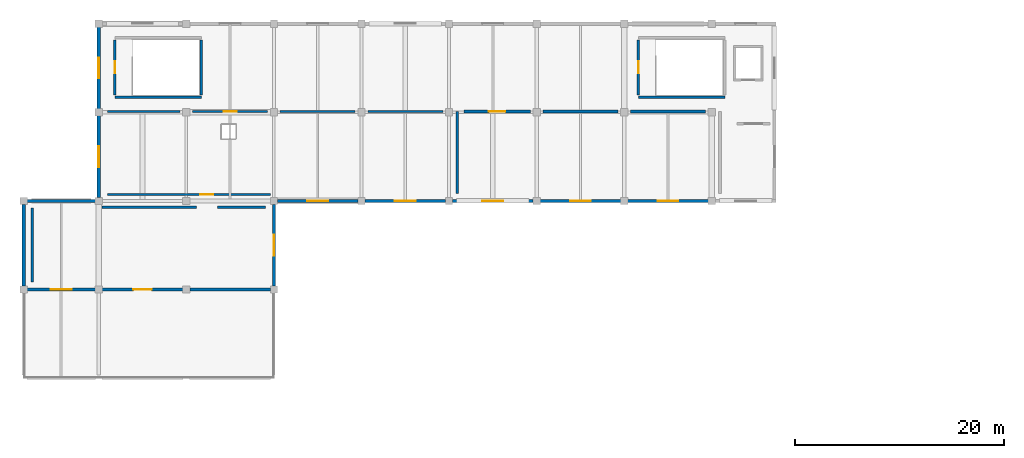
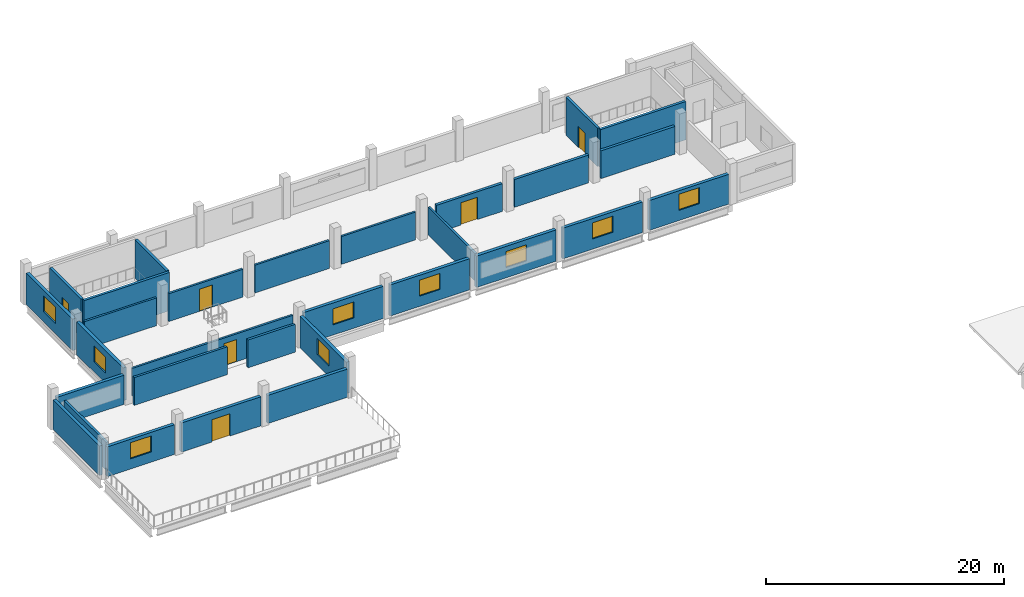
# One storey, part 41 of 52: 30 walls, 9 windows, 6 doors, 15 openings.
"""IFC4 building model written with IfcOpenShell, lengths in metres."""

from ifc_helpers import new_model, si_unit, direction, frame, frame_2d, origin, place, context, subcontext, project, spatial, rectangle, extrude, material, layer, layer_set, type_object, element, fill, save


model = new_model("IFC4")

# Units and contexts
model_context = context("Model", 3, precision=1e-05, world=origin(), true_north=direction((0.0, 1.0)))
body_context = subcontext(model_context, "Body", "Model", "MODEL_VIEW")
ifc_project = project(units=[si_unit("LENGTHUNIT", "METRE"), si_unit("AREAUNIT", "SQUARE_METRE"), si_unit("VOLUMEUNIT", "CUBIC_METRE"), si_unit("PLANEANGLEUNIT", "RADIAN"), si_unit("MASSUNIT", "GRAM", prefix="KILO")], contexts=[model_context])

# Site, building, storey
site_placement = place(None, origin())
site = spatial("IfcSite", under=ifc_project, at=site_placement, CompositionType="ELEMENT")
building_placement = place(site_placement, origin())
building = spatial("IfcBuilding", under=site, at=building_placement, Name="Solvento Point Concert Hall", CompositionType="ELEMENT")
storey_placement = place(building_placement, frame((0.0, 0.0, 19.5)))
storey = spatial("IfcBuildingStorey", under=building, at=storey_placement, Name="L04", CompositionType="ELEMENT", Elevation=19.5)

# Wall
ifc_material_1 = material(Name="Acoustic Double-Stud Gypsum Partition")
ifc_layer_1 = layer(ifc_material_1, 0.199951171875)
ifc_layer_set_1 = layer_set([ifc_layer_1], Name="Acoustic Double-Stud Gypsum Partition")
wall_type_1 = type_object("IfcWallType", Name="AcousticPartition_200", PredefinedType="PARTITIONING", material=ifc_layer_set_1)
wall_1_placement = place(storey_placement, frame((8.02001953125, 127.580078125, 0.0), z_axis=(0.0, 0.0, 1.0), x_axis=(1.0, 0.0, 0.0)))
element("IfcWall", 1, at=wall_1_placement, inside=storey, type_object=wall_type_1, Name="Interior acoustic partition PW-84 L04", PredefinedType="PARTITIONING", context=body_context, shape_type="SweptSolid", body=[
    extrude(rectangle(XDim=6.97998046875, YDim=0.199951171875, at=frame_2d((3.489990234375, 0.0))), origin(), (0.0, 0.0, 1.0), 2.860107421875),
])

# Wall, opening, door
wall_2_placement = place(storey_placement, frame((16.199951171875, 127.580078125, 0.0), z_axis=(0.0, 0.0, 1.0), x_axis=(1.0, 0.0, 0.0)))
wall_2 = element("IfcWall", 2, at=wall_2_placement, inside=storey, type_object=wall_type_1, Name="Interior acoustic partition PW-84 L04", PredefinedType="PARTITIONING", context=body_context, shape_type="SweptSolid", body=[
    extrude(rectangle(XDim=7.199951171875, YDim=0.199951171875, at=frame_2d((3.60009765625, 0.0))), origin(), (0.0, 0.0, 1.0), 2.860107421875),
])
opening_1_placement = place(wall_2_placement, frame((2.969970703125, 0.0, 0.0)))
opening_1 = element("IfcOpeningElement", 3, at=opening_1_placement, cuts=wall_2, Name="Opening DR-43", PredefinedType="OPENING", context=body_context, shape_type="SweptSolid", body=[
    extrude(rectangle(XDim=1.260009765625, YDim=2.280029296875, at=frame_2d((0.6298828125, 1.14013671875))), frame((0.0, 0.10986328125, 0.0), z_axis=(0.0, -1.0, 0.0), x_axis=(1.0, 0.0, 0.0)), (0.0, 0.0, 1.0), 0.219970703125),
])
ifc_material_2 = material(Name="Brazilian Hardwood Acoustic Door", Category="wood")
door_type_1 = type_object("IfcDoorType", Name="IntDoor_Classroom", OperationType="NOTDEFINED", PredefinedType="DOOR", material=ifc_material_2)
door_1_placement = place(opening_1_placement, origin())
door_1 = element("IfcDoor", 4, at=door_1_placement, inside=storey, type_object=door_type_1, Name="Interior door DR-43 L04", OperationType="SINGLE_SWING_LEFT", OverallHeight=2.280029296875, OverallWidth=1.260009765625, PredefinedType="DOOR", context=body_context, shape_type="SweptSolid", body=[
    extrude(rectangle(XDim=1.260009765625, YDim=2.280029296875, at=frame_2d((0.6298828125, 1.14013671875))), frame((0.0, 0.02490234375, 0.0), z_axis=(0.0, -1.0, 0.0), x_axis=(1.0, 0.0, 0.0)), (0.0, 0.0, 1.0), 0.050048828125),
])
fill(opening_1, door_1)

# Walls
for number, where, z_axis, x_axis, name in (
    (5, (24.60009765625, 127.580078125, 0.0), (0.0, 0.0, 1.0), (1.0, 0.0, 0.0), "Interior acoustic partition PW-84 L04"),
    (6, (33.0, 127.580078125, 0.0), (0.0, 0.0, 1.0), (1.0, 0.0, 0.0), "Interior acoustic partition PW-84 L04"),
):
    element("IfcWall", number, at=place(storey_placement, frame(where, z_axis=z_axis, x_axis=x_axis)), inside=storey, type_object=wall_type_1, Name=name, PredefinedType="PARTITIONING", context=body_context, shape_type="SweptSolid", body=[
        extrude(rectangle(XDim=7.199951171875, YDim=0.199951171875, at=frame_2d((3.60009765625, 0.0))), origin(), (0.0, 0.0, 1.0), 2.860107421875),
    ])

# Wall, opening, door
wall_3_placement = place(storey_placement, frame((23.675537109375, 119.6201171875, 0.0), z_axis=(0.0, 0.0, 1.0), x_axis=(-1.0, 0.0, 0.0)))
wall_3 = element("IfcWall", 7, at=wall_3_placement, inside=storey, type_object=wall_type_1, Name="Interior acoustic partition PW-84 L04", PredefinedType="PARTITIONING", context=body_context, shape_type="SweptSolid", body=[
    extrude(rectangle(XDim=15.655517578125, YDim=0.199951171875, at=frame_2d((7.82763671875, 0.0))), origin(), (0.0, 0.0, 1.0), 2.860107421875),
])
opening_2_placement = place(wall_3_placement, frame((5.47021484375, 0.0, 0.0)))
opening_2 = element("IfcOpeningElement", 8, at=opening_2_placement, cuts=wall_3, Name="Opening DR-43", PredefinedType="OPENING", context=body_context, shape_type="SweptSolid", body=[
    extrude(rectangle(XDim=1.260009765625, YDim=2.280029296875, at=frame_2d((0.6298828125, 1.14013671875))), frame((0.0, 0.10986328125, 0.0), z_axis=(0.0, -1.0, 0.0), x_axis=(1.0, 0.0, 0.0)), (0.0, 0.0, 1.0), 0.219970703125),
])
door_2_placement = place(opening_2_placement, origin())
door_2 = element("IfcDoor", 9, at=door_2_placement, inside=storey, type_object=door_type_1, Name="Interior door DR-43 L04", OperationType="SINGLE_SWING_LEFT", OverallHeight=2.280029296875, OverallWidth=1.260009765625, PredefinedType="DOOR", context=body_context, shape_type="SweptSolid", body=[
    extrude(rectangle(XDim=1.260009765625, YDim=2.280029296875, at=frame_2d((0.6298828125, 1.14013671875))), frame((0.0, 0.02490234375, 0.0), z_axis=(0.0, -1.0, 0.0), x_axis=(1.0, 0.0, 0.0)), (0.0, 0.0, 1.0), 0.050048828125),
])
fill(opening_2, door_2)

# Walls
wall_4_placement = place(storey_placement, frame((41.580078125, 127.580078125, 0.0), z_axis=(0.0, 0.0, 1.0), x_axis=(0.0, -1.0, 0.0)))
element("IfcWall", 10, at=wall_4_placement, inside=storey, type_object=wall_type_1, Name="Interior acoustic partition PW-84 L04", PredefinedType="PARTITIONING", context=body_context, shape_type="SweptSolid", body=[
    extrude(rectangle(XDim=7.880126953125, YDim=0.199951171875, at=frame_2d((3.93994140625, 0.0))), origin(), (0.0, 0.0, 1.0), 2.860107421875),
])
ifc_material_3 = material(Name="Acoustic Double-Stud Gypsum Partition")
ifc_layer_2 = layer(ifc_material_3, 0.22509765625)
ifc_layer_set_2 = layer_set([ifc_layer_2], Name="Acoustic Double-Stud Gypsum Partition")
wall_type_2 = type_object("IfcWallType", Name="AcousticPartition_225", PredefinedType="PARTITIONING", material=ifc_layer_set_2)
wall_5_placement = place(storey_placement, frame((7.5244140625, 118.3798828125, 0.0), z_axis=(0.0, 0.0, 1.0), x_axis=(1.0, 0.0, 0.0)))
element("IfcWall", 11, at=wall_5_placement, inside=storey, type_object=wall_type_2, Name="Interior acoustic partition PW-30 L04", PredefinedType="PARTITIONING", context=body_context, shape_type="SweptSolid", body=[
    extrude(rectangle(XDim=9.040283203125, YDim=0.22509765625, at=frame_2d((4.52001953125, 0.0))), origin(), (0.0, 0.0, 1.0), 2.860107421875),
])
wall_6_placement = place(storey_placement, frame((18.5859375, 118.3798828125, 0.0), z_axis=(0.0, 0.0, 1.0), x_axis=(1.0, 0.0, 0.0)))
element("IfcWall", 12, at=wall_6_placement, inside=storey, type_object=wall_type_2, Name="Interior acoustic partition PW-30 L04", PredefinedType="PARTITIONING", context=body_context, shape_type="SweptSolid", body=[
    extrude(rectangle(XDim=4.593994140625, YDim=0.22509765625, at=frame_2d((2.296875, 0.0))), origin(), (0.0, 0.0, 1.0), 2.860107421875),
])
wall_7_placement = place(storey_placement, frame((0.820068359375, 111.199951171875, 0.0), z_axis=(0.0, 0.0, 1.0), x_axis=(0.0, 1.0, 0.0)))
element("IfcWall", 13, at=wall_7_placement, inside=storey, type_object=wall_type_2, Name="Interior acoustic partition PW-30 L04", PredefinedType="PARTITIONING", context=body_context, shape_type="SweptSolid", body=[
    extrude(rectangle(XDim=7.10009765625, YDim=0.22509765625, at=frame_2d((3.550048828125, 0.0))), origin(), (0.0, 0.0, 1.0), 2.860107421875),
])

# Wall, opening, door
ifc_material_4 = material(Name="Acoustic Double-Stud Gypsum Partition")
ifc_layer_3 = layer(ifc_material_4, 0.264892578125)
ifc_layer_set_3 = layer_set([ifc_layer_3], Name="Acoustic Double-Stud Gypsum Partition")
wall_type_3 = type_object("IfcWallType", Name="AcousticPartition_265", PredefinedType="PARTITIONING", material=ifc_layer_set_3)
wall_8_placement = place(storey_placement, frame((42.219970703125, 127.580078125, 0.0), z_axis=(0.0, 0.0, 1.0), x_axis=(1.0, 0.0, 0.0)))
wall_8 = element("IfcWall", 14, at=wall_8_placement, inside=storey, type_object=wall_type_3, Name="Interior acoustic partition PW-68 L04", PredefinedType="PARTITIONING", context=body_context, shape_type="SweptSolid", body=[
    extrude(rectangle(XDim=6.380126953125, YDim=0.264892578125, at=frame_2d((3.18994140625, 0.0))), origin(), (0.0, 0.0, 1.0), 2.860107421875),
])
opening_3_placement = place(wall_8_placement, frame((2.389892578125, 0.0, 0.0)))
opening_3 = element("IfcOpeningElement", 15, at=opening_3_placement, cuts=wall_8, Name="Opening DR-40", PredefinedType="OPENING", context=body_context, shape_type="SweptSolid", body=[
    extrude(rectangle(XDim=1.60009765625, YDim=2.300048828125, at=frame_2d((0.800048828125, 1.14990234375))), frame((0.0, 0.142333984375, 0.0), z_axis=(0.0, -1.0, 0.0), x_axis=(1.0, 0.0, 0.0)), (0.0, 0.0, 1.0), 0.284912109375),
])
ifc_material_5 = material(Name="Brazilian Hardwood Acoustic Door", Category="wood")
door_type_2 = type_object("IfcDoorType", Name="IntDoor_ArchiveFD90", OperationType="NOTDEFINED", PredefinedType="DOOR", material=ifc_material_5)
door_3_placement = place(opening_3_placement, origin())
door_3 = element("IfcDoor", 16, at=door_3_placement, inside=storey, type_object=door_type_2, Name="Interior door DR-40 L04", OperationType="SINGLE_SWING_LEFT", OverallHeight=2.300048828125, OverallWidth=1.60009765625, PredefinedType="DOOR", context=body_context, shape_type="SweptSolid", body=[
    extrude(rectangle(XDim=1.60009765625, YDim=2.300048828125, at=frame_2d((0.800048828125, 1.14990234375))), frame((0.0, 0.02490234375, 0.0), z_axis=(0.0, -1.0, 0.0), x_axis=(1.0, 0.0, 0.0)), (0.0, 0.0, 1.0), 0.050048828125),
])
fill(opening_3, door_3)

# Walls
for number, where, z_axis, x_axis, name in (
    (17, (49.800048828125, 127.580078125, 0.0), (0.0, 0.0, 1.0), (1.0, 0.0, 0.0), "Interior acoustic partition PW-68 L04"),
    (18, (58.199951171875, 127.580078125, 0.0), (0.0, 0.0, 1.0), (1.0, 0.0, 0.0), "Interior acoustic partition PW-68 L04"),
):
    element("IfcWall", number, at=place(storey_placement, frame(where, z_axis=z_axis, x_axis=x_axis)), inside=storey, type_object=wall_type_3, Name=name, PredefinedType="PARTITIONING", context=body_context, shape_type="SweptSolid", body=[
        extrude(rectangle(XDim=7.199951171875, YDim=0.264892578125, at=frame_2d((3.60009765625, 0.0))), origin(), (0.0, 0.0, 1.0), 2.860107421875),
    ])
ifc_material_6 = material(Name="Concrete C40/50", Category="concrete")
ifc_layer_4 = layer(ifc_material_6, 0.300048828125)
ifc_layer_set_4 = layer_set([ifc_layer_4], Name="Concrete C40/50")
wall_type_4 = type_object("IfcWallType", Name="CoreShearWall_300", PredefinedType="SHEAR", material=ifc_layer_set_4)
wall_9_placement = place(storey_placement, frame((67.25, 128.949951171875, 0.0), z_axis=(0.0, 0.0, 1.0), x_axis=(-1.0, 0.0, 0.0)))
element("IfcWall", 19, at=wall_9_placement, inside=storey, type_object=wall_type_4, Name="Stair core shear wall W-SH1 ST-04 L04", PredefinedType="SHEAR", context=body_context, shape_type="SweptSolid", body=[
    extrude(rectangle(XDim=8.300048828125, YDim=0.25, at=frame_2d((4.14990234375, 0.0))), origin(), (0.0, 0.0, 1.0), 3.93994140625),
])

# Wall, opening, door
wall_10_placement = place(storey_placement, frame((58.949951171875, 129.14990234375, 0.0), z_axis=(0.0, 0.0, 1.0), x_axis=(0.0, 1.0, 0.0)))
wall_10 = element("IfcWall", 20, at=wall_10_placement, inside=storey, type_object=wall_type_4, Name="Stair core shear wall W-SH1 ST-04 L04", PredefinedType="SHEAR", context=body_context, shape_type="SweptSolid", body=[
    extrude(rectangle(XDim=5.300048828125, YDim=0.25, at=frame_2d((2.64990234375, 0.0))), origin(), (0.0, 0.0, 1.0), 3.93994140625),
])
opening_4_placement = place(wall_10_placement, frame((2.074951171875, 0.0, 0.0)))
opening_4 = element("IfcOpeningElement", 21, at=opening_4_placement, cuts=wall_10, Name="Opening D-ST1", PredefinedType="OPENING", context=body_context, shape_type="SweptSolid", body=[
    extrude(rectangle(XDim=1.14990234375, YDim=2.179931640625, at=frame_2d((0.574951171875, 1.08984375))), frame((0.0, 0.135009765625, 0.0), z_axis=(0.0, -1.0, 0.0), x_axis=(1.0, 0.0, 0.0)), (0.0, 0.0, 1.0), 0.27001953125),
])
ifc_material_7 = material(Name="Hollow Metal Acoustic Fire Door")
door_type_3 = type_object("IfcDoorType", Name="StairFireDoor_1150", OperationType="NOTDEFINED", PredefinedType="DOOR", material=ifc_material_7)
door_4_placement = place(opening_4_placement, origin())
door_4 = element("IfcDoor", 22, at=door_4_placement, inside=storey, type_object=door_type_3, Name="Protected exit stair door ST-04 L04", OperationType="SINGLE_SWING_RIGHT", OverallHeight=2.179931640625, OverallWidth=1.14990234375, PredefinedType="DOOR", context=body_context, shape_type="SweptSolid", body=[
    extrude(rectangle(XDim=1.14990234375, YDim=2.179931640625, at=frame_2d((0.574951171875, 1.08984375))), frame((0.0, 0.02490234375, 0.0), z_axis=(0.0, -1.0, 0.0), x_axis=(1.0, 0.0, 0.0)), (0.0, 0.0, 1.0), 0.050048828125),
])
fill(opening_4, door_4)

# Wall
wall_11_placement = place(storey_placement, frame((17.050048828125, 128.949951171875, 0.0), z_axis=(0.0, 0.0, 1.0), x_axis=(-1.0, 0.0, 0.0)))
element("IfcWall", 23, at=wall_11_placement, inside=storey, type_object=wall_type_4, Name="Stair core shear wall W-SH1 ST-05 L04", PredefinedType="SHEAR", context=body_context, shape_type="SweptSolid", body=[
    extrude(rectangle(XDim=8.300048828125, YDim=0.25, at=frame_2d((4.14990234375, 0.0))), origin(), (0.0, 0.0, 1.0), 3.93994140625),
])

# Wall, opening, door
wall_12_placement = place(storey_placement, frame((8.75, 129.14990234375, 0.0), z_axis=(0.0, 0.0, 1.0), x_axis=(0.0, 1.0, 0.0)))
wall_12 = element("IfcWall", 24, at=wall_12_placement, inside=storey, type_object=wall_type_4, Name="Stair core shear wall W-SH1 ST-05 L04", PredefinedType="SHEAR", context=body_context, shape_type="SweptSolid", body=[
    extrude(rectangle(XDim=5.300048828125, YDim=0.25, at=frame_2d((2.64990234375, 0.0))), origin(), (0.0, 0.0, 1.0), 3.93994140625),
])
opening_5_placement = place(wall_12_placement, frame((2.074951171875, 0.0, 0.0)))
opening_5 = element("IfcOpeningElement", 25, at=opening_5_placement, cuts=wall_12, Name="Opening D-ST1", PredefinedType="OPENING", context=body_context, shape_type="SweptSolid", body=[
    extrude(rectangle(XDim=1.14990234375, YDim=2.179931640625, at=frame_2d((0.574951171875, 1.08984375))), frame((0.0, 0.135009765625, 0.0), z_axis=(0.0, -1.0, 0.0), x_axis=(1.0, 0.0, 0.0)), (0.0, 0.0, 1.0), 0.27001953125),
])
door_5_placement = place(opening_5_placement, origin())
door_5 = element("IfcDoor", 26, at=door_5_placement, inside=storey, type_object=door_type_3, Name="Protected exit stair door ST-05 L04", OperationType="SINGLE_SWING_LEFT", OverallHeight=2.179931640625, OverallWidth=1.14990234375, PredefinedType="DOOR", context=body_context, shape_type="SweptSolid", body=[
    extrude(rectangle(XDim=1.14990234375, YDim=2.179931640625, at=frame_2d((0.574951171875, 1.08984375))), frame((0.0, 0.02490234375, 0.0), z_axis=(0.0, -1.0, 0.0), x_axis=(1.0, 0.0, 0.0)), (0.0, 0.0, 1.0), 0.050048828125),
])
fill(opening_5, door_5)

# Wall
wall_13_placement = place(storey_placement, frame((17.050048828125, 134.449951171875, 0.0), z_axis=(0.0, 0.0, 1.0), x_axis=(0.0, -1.0, 0.0)))
element("IfcWall", 27, at=wall_13_placement, inside=storey, type_object=wall_type_4, Name="Stair core shear wall W-SH1 ST-05 L04", PredefinedType="SHEAR", context=body_context, shape_type="SweptSolid", body=[
    extrude(rectangle(XDim=5.300048828125, YDim=0.25, at=frame_2d((2.64990234375, 0.0))), origin(), (0.0, 0.0, 1.0), 3.93994140625),
])

# Wall, opening, window
ifc_material_8 = material(Name="Concrete C40/50", Category="concrete")
ifc_layer_5 = layer(ifc_material_8, 0.31005859375)
ifc_layer_set_5 = layer_set([ifc_layer_5], Name="Concrete C40/50")
wall_type_5 = type_object("IfcWallType", Name="ExtWall_V4_Cler_310", PredefinedType="SOLIDWALL", material=ifc_layer_set_5)
wall_14_placement = place(storey_placement, frame((32.070068359375, 119.0, 0.0), z_axis=(0.0, 0.0, 1.0), x_axis=(-1.0, 0.0, 0.0)))
wall_14 = element("IfcWall", 28, at=wall_14_placement, inside=storey, type_object=wall_type_5, Name="Exterior architectural concrete wall EW-30 L04", PredefinedType="SOLIDWALL", context=body_context, shape_type="SweptSolid", body=[
    extrude(rectangle(XDim=7.739990234375, YDim=0.31005859375, at=frame_2d((3.8701171875, 0.0))), origin(), (0.0, 0.0, 1.0), 3.303955078125),
])
opening_6_placement = place(wall_14_placement, frame((2.8701171875, 0.0, 1.050048828125)))
opening_6 = element("IfcOpeningElement", 29, at=opening_6_placement, cuts=wall_14, Name="Opening WN-14", PredefinedType="OPENING", context=body_context, shape_type="SweptSolid", body=[
    extrude(rectangle(XDim=2.0, YDim=1.64990234375, at=frame_2d((1.0, 0.824951171875))), frame((0.0, 0.1650390625, 0.0), z_axis=(0.0, -1.0, 0.0), x_axis=(1.0, 0.0, 0.0)), (0.0, 0.0, 1.0), 0.330078125),
])
ifc_material_9 = material(Name="Hurricane Laminated Low-E Glass", Category="glass")
window_type = type_object("IfcWindowType", Name="Win_V4_Practice_L04", PartitioningType="SINGLE_PANEL", PredefinedType="WINDOW", material=ifc_material_9)
window_1_placement = place(opening_6_placement, origin())
window_1 = element("IfcWindow", 30, at=window_1_placement, inside=storey, type_object=window_type, Name="Impact acoustic window WN-14", OverallHeight=1.64990234375, OverallWidth=2.0, PartitioningType="SINGLE_PANEL", PredefinedType="WINDOW", context=body_context, shape_type="SweptSolid", body=[
    extrude(rectangle(XDim=2.0, YDim=1.64990234375, at=frame_2d((1.0, 0.824951171875))), frame((0.0, 0.030029296875, 0.0), z_axis=(0.0, -1.0, 0.0), x_axis=(1.0, 0.0, 0.0)), (0.0, 0.0, 1.0), 0.06005859375),
])
fill(opening_6, window_1)

wall_15_placement = place(storey_placement, frame((40.469970703125, 119.0, 0.0), z_axis=(0.0, 0.0, 1.0), x_axis=(-1.0, 0.0, 0.0)))
wall_15 = element("IfcWall", 31, at=wall_15_placement, inside=storey, type_object=wall_type_5, Name="Exterior architectural concrete wall EW-30 L04", PredefinedType="SOLIDWALL", context=body_context, shape_type="SweptSolid", body=[
    extrude(rectangle(XDim=7.739990234375, YDim=0.31005859375, at=frame_2d((3.8701171875, 0.0))), origin(), (0.0, 0.0, 1.0), 3.2041015625),
])
opening_7_placement = place(wall_15_placement, frame((2.8701171875, 0.0, 1.050048828125)))
opening_7 = element("IfcOpeningElement", 32, at=opening_7_placement, cuts=wall_15, Name="Opening WN-14", PredefinedType="OPENING", context=body_context, shape_type="SweptSolid", body=[
    extrude(rectangle(XDim=2.0, YDim=1.64990234375, at=frame_2d((1.0, 0.824951171875))), frame((0.0, 0.1650390625, 0.0), z_axis=(0.0, -1.0, 0.0), x_axis=(1.0, 0.0, 0.0)), (0.0, 0.0, 1.0), 0.330078125),
])
window_2_placement = place(opening_7_placement, origin())
window_2 = element("IfcWindow", 33, at=window_2_placement, inside=storey, type_object=window_type, Name="Impact acoustic window WN-14", OverallHeight=1.64990234375, OverallWidth=2.0, PartitioningType="SINGLE_PANEL", PredefinedType="WINDOW", context=body_context, shape_type="SweptSolid", body=[
    extrude(rectangle(XDim=2.0, YDim=1.64990234375, at=frame_2d((1.0, 0.824951171875))), frame((0.0, 0.030029296875, 0.0), z_axis=(0.0, -1.0, 0.0), x_axis=(1.0, 0.0, 0.0)), (0.0, 0.0, 1.0), 0.06005859375),
])
fill(opening_7, window_2)

wall_16_placement = place(storey_placement, frame((48.8701171875, 119.0, 0.0), z_axis=(0.0, 0.0, 1.0), x_axis=(-1.0, 0.0, 0.0)))
wall_16 = element("IfcWall", 34, at=wall_16_placement, inside=storey, type_object=wall_type_5, Name="Exterior architectural concrete wall EW-30 L04", PredefinedType="SOLIDWALL", context=body_context, shape_type="SweptSolid", body=[
    extrude(rectangle(XDim=7.740234375, YDim=0.31005859375, at=frame_2d((3.8701171875, 0.0))), origin(), (0.0, 0.0, 1.0), 3.23095703125),
])
opening_8_placement = place(wall_16_placement, frame((2.8701171875, 0.0, 1.050048828125)))
opening_8 = element("IfcOpeningElement", 35, at=opening_8_placement, cuts=wall_16, Name="Opening WN-14", PredefinedType="OPENING", context=body_context, shape_type="SweptSolid", body=[
    extrude(rectangle(XDim=2.0, YDim=1.64990234375, at=frame_2d((1.0, 0.824951171875))), frame((0.0, 0.1650390625, 0.0), z_axis=(0.0, -1.0, 0.0), x_axis=(1.0, 0.0, 0.0)), (0.0, 0.0, 1.0), 0.330078125),
])
window_3_placement = place(opening_8_placement, origin())
window_3 = element("IfcWindow", 36, at=window_3_placement, inside=storey, type_object=window_type, Name="Impact acoustic window WN-14", OverallHeight=1.64990234375, OverallWidth=2.0, PartitioningType="SINGLE_PANEL", PredefinedType="WINDOW", context=body_context, shape_type="SweptSolid", body=[
    extrude(rectangle(XDim=2.0, YDim=1.64990234375, at=frame_2d((1.0, 0.824951171875))), frame((0.0, 0.030029296875, 0.0), z_axis=(0.0, -1.0, 0.0), x_axis=(1.0, 0.0, 0.0)), (0.0, 0.0, 1.0), 0.06005859375),
])
fill(opening_8, window_3)

wall_17_placement = place(storey_placement, frame((57.27001953125, 119.0, 0.0), z_axis=(0.0, 0.0, 1.0), x_axis=(-1.0, 0.0, 0.0)))
wall_17 = element("IfcWall", 37, at=wall_17_placement, inside=storey, type_object=wall_type_5, Name="Exterior architectural concrete wall EW-30 L04", PredefinedType="SOLIDWALL", context=body_context, shape_type="SweptSolid", body=[
    extrude(rectangle(XDim=7.739990234375, YDim=0.31005859375, at=frame_2d((3.8701171875, 0.0))), origin(), (0.0, 0.0, 1.0), 3.154052734375),
])
opening_9_placement = place(wall_17_placement, frame((2.8701171875, 0.0, 1.050048828125)))
opening_9 = element("IfcOpeningElement", 38, at=opening_9_placement, cuts=wall_17, Name="Opening WN-14", PredefinedType="OPENING", context=body_context, shape_type="SweptSolid", body=[
    extrude(rectangle(XDim=2.0, YDim=1.64990234375, at=frame_2d((1.0, 0.824951171875))), frame((0.0, 0.1650390625, 0.0), z_axis=(0.0, -1.0, 0.0), x_axis=(1.0, 0.0, 0.0)), (0.0, 0.0, 1.0), 0.330078125),
])
window_4_placement = place(opening_9_placement, origin())
window_4 = element("IfcWindow", 39, at=window_4_placement, inside=storey, type_object=window_type, Name="Impact acoustic window WN-14", OverallHeight=1.64990234375, OverallWidth=2.0, PartitioningType="SINGLE_PANEL", PredefinedType="WINDOW", context=body_context, shape_type="SweptSolid", body=[
    extrude(rectangle(XDim=2.0, YDim=1.64990234375, at=frame_2d((1.0, 0.824951171875))), frame((0.0, 0.030029296875, 0.0), z_axis=(0.0, -1.0, 0.0), x_axis=(1.0, 0.0, 0.0)), (0.0, 0.0, 1.0), 0.06005859375),
])
fill(opening_9, window_4)

wall_18_placement = place(storey_placement, frame((65.669921875, 119.0, 0.0), z_axis=(0.0, 0.0, 1.0), x_axis=(-1.0, 0.0, 0.0)))
wall_18 = element("IfcWall", 40, at=wall_18_placement, inside=storey, type_object=wall_type_5, Name="Exterior architectural concrete wall EW-30 L04", PredefinedType="SOLIDWALL", context=body_context, shape_type="SweptSolid", body=[
    extrude(rectangle(XDim=7.739990234375, YDim=0.31005859375, at=frame_2d((3.8701171875, 0.0))), origin(), (0.0, 0.0, 1.0), 3.06494140625),
])
opening_10_placement = place(wall_18_placement, frame((2.8701171875, 0.0, 1.050048828125)))
opening_10 = element("IfcOpeningElement", 41, at=opening_10_placement, cuts=wall_18, Name="Opening WN-14", PredefinedType="OPENING", context=body_context, shape_type="SweptSolid", body=[
    extrude(rectangle(XDim=2.0, YDim=1.64990234375, at=frame_2d((1.0, 0.824951171875))), frame((0.0, 0.1650390625, 0.0), z_axis=(0.0, -1.0, 0.0), x_axis=(1.0, 0.0, 0.0)), (0.0, 0.0, 1.0), 0.330078125),
])
window_5_placement = place(opening_10_placement, origin())
window_5 = element("IfcWindow", 42, at=window_5_placement, inside=storey, type_object=window_type, Name="Impact acoustic window WN-14", OverallHeight=1.64990234375, OverallWidth=2.0, PartitioningType="SINGLE_PANEL", PredefinedType="WINDOW", context=body_context, shape_type="SweptSolid", body=[
    extrude(rectangle(XDim=2.0, YDim=1.64990234375, at=frame_2d((1.0, 0.824951171875))), frame((0.0, 0.030029296875, 0.0), z_axis=(0.0, -1.0, 0.0), x_axis=(1.0, 0.0, 0.0)), (0.0, 0.0, 1.0), 0.06005859375),
])
fill(opening_10, window_5)

wall_19_placement = place(storey_placement, frame((24.0, 118.669921875, 0.0), z_axis=(0.0, 0.0, 1.0), x_axis=(0.0, -1.0, 0.0)))
wall_19 = element("IfcWall", 43, at=wall_19_placement, inside=storey, type_object=wall_type_5, Name="Exterior architectural concrete wall EW-30 L04", PredefinedType="SOLIDWALL", context=body_context, shape_type="SweptSolid", body=[
    extrude(rectangle(XDim=7.83984375, YDim=0.31005859375, at=frame_2d((3.919921875, 0.0))), origin(), (0.0, 0.0, 1.0), 3.23095703125),
])
opening_11_placement = place(wall_19_placement, frame((2.919921875, 0.0, 1.050048828125)))
opening_11 = element("IfcOpeningElement", 44, at=opening_11_placement, cuts=wall_19, Name="Opening WN-14", PredefinedType="OPENING", context=body_context, shape_type="SweptSolid", body=[
    extrude(rectangle(XDim=2.0, YDim=1.64990234375, at=frame_2d((1.0, 0.824951171875))), frame((0.0, 0.1650390625, 0.0), z_axis=(0.0, -1.0, 0.0), x_axis=(1.0, 0.0, 0.0)), (0.0, 0.0, 1.0), 0.330078125),
])
window_6_placement = place(opening_11_placement, origin())
window_6 = element("IfcWindow", 45, at=window_6_placement, inside=storey, type_object=window_type, Name="Impact acoustic window WN-14", OverallHeight=1.64990234375, OverallWidth=2.0, PartitioningType="SINGLE_PANEL", PredefinedType="WINDOW", context=body_context, shape_type="SweptSolid", body=[
    extrude(rectangle(XDim=2.0, YDim=1.64990234375, at=frame_2d((1.0, 0.824951171875))), frame((0.0, 0.030029296875, 0.0), z_axis=(0.0, -1.0, 0.0), x_axis=(1.0, 0.0, 0.0)), (0.0, 0.0, 1.0), 0.06005859375),
])
fill(opening_11, window_6)

wall_20_placement = place(storey_placement, frame((6.8701171875, 110.5, 0.0), z_axis=(0.0, 0.0, 1.0), x_axis=(-1.0, 0.0, 0.0)))
wall_20 = element("IfcWall", 46, at=wall_20_placement, inside=storey, type_object=wall_type_5, Name="Exterior architectural concrete wall EW-30 L04", PredefinedType="SOLIDWALL", context=body_context, shape_type="SweptSolid", body=[
    extrude(rectangle(XDim=6.5400390625, YDim=0.31005859375, at=frame_2d((3.27001953125, 0.0))), origin(), (0.0, 0.0, 1.0), 3.06494140625),
])
opening_12_placement = place(wall_20_placement, frame((2.27001953125, 0.0, 1.050048828125)))
opening_12 = element("IfcOpeningElement", 47, at=opening_12_placement, cuts=wall_20, Name="Opening WN-14", PredefinedType="OPENING", context=body_context, shape_type="SweptSolid", body=[
    extrude(rectangle(XDim=2.0, YDim=1.64990234375, at=frame_2d((1.0, 0.824951171875))), frame((0.0, 0.1650390625, 0.0), z_axis=(0.0, -1.0, 0.0), x_axis=(1.0, 0.0, 0.0)), (0.0, 0.0, 1.0), 0.330078125),
])
window_7_placement = place(opening_12_placement, origin())
window_7 = element("IfcWindow", 48, at=window_7_placement, inside=storey, type_object=window_type, Name="Impact acoustic window WN-14", OverallHeight=1.64990234375, OverallWidth=2.0, PartitioningType="SINGLE_PANEL", PredefinedType="WINDOW", context=body_context, shape_type="SweptSolid", body=[
    extrude(rectangle(XDim=2.0, YDim=1.64990234375, at=frame_2d((1.0, 0.824951171875))), frame((0.0, 0.030029296875, 0.0), z_axis=(0.0, -1.0, 0.0), x_axis=(1.0, 0.0, 0.0)), (0.0, 0.0, 1.0), 0.06005859375),
])
fill(opening_12, window_7)

# Wall, opening, door
wall_21_placement = place(storey_placement, frame((15.27001953125, 110.5, 0.0), z_axis=(0.0, 0.0, 1.0), x_axis=(-1.0, 0.0, 0.0)))
wall_21 = element("IfcWall", 49, at=wall_21_placement, inside=storey, type_object=wall_type_5, Name="Exterior architectural concrete wall EW-30 L04", PredefinedType="SOLIDWALL", context=body_context, shape_type="SweptSolid", body=[
    extrude(rectangle(XDim=7.739990234375, YDim=0.31005859375, at=frame_2d((3.8701171875, 0.0))), origin(), (0.0, 0.0, 1.0), 2.9970703125),
])
opening_13_placement = place(wall_21_placement, frame((2.9951171875, 0.0, 0.0)))
opening_13 = element("IfcOpeningElement", 50, at=opening_13_placement, cuts=wall_21, Name="Opening TD-04", PredefinedType="OPENING", context=body_context, shape_type="SweptSolid", body=[
    extrude(rectangle(XDim=1.75, YDim=2.300048828125, at=frame_2d((0.875, 1.14990234375))), frame((0.0, 0.1650390625, 0.0), z_axis=(0.0, -1.0, 0.0), x_axis=(1.0, 0.0, 0.0)), (0.0, 0.0, 1.0), 0.330078125),
])
ifc_material_10 = material(Name="Anodized Bronze Aluminium", Category="aluminium")
door_type_4 = type_object("IfcDoorType", Name="TerraceDoor_TD-04", OperationType="NOTDEFINED", PredefinedType="DOOR", material=ifc_material_10)
door_6_placement = place(opening_13_placement, origin())
door_6 = element("IfcDoor", 51, at=door_6_placement, inside=storey, type_object=door_type_4, Name="Exterior terrace access glazed door TD-04", OperationType="SINGLE_SWING_LEFT", OverallHeight=2.300048828125, OverallWidth=1.75, PredefinedType="DOOR", context=body_context, shape_type="SweptSolid", body=[
    extrude(rectangle(XDim=1.75, YDim=2.300048828125, at=frame_2d((0.875, 1.14990234375))), frame((0.0, 0.02490234375, 0.0), z_axis=(0.0, -1.0, 0.0), x_axis=(1.0, 0.0, 0.0)), (0.0, 0.0, 1.0), 0.050048828125),
])
fill(opening_13, door_6)

# Walls
wall_22_placement = place(storey_placement, frame((23.669921875, 110.5, 0.0), z_axis=(0.0, 0.0, 1.0), x_axis=(-1.0, 0.0, 0.0)))
element("IfcWall", 52, at=wall_22_placement, inside=storey, type_object=wall_type_5, Name="Exterior architectural concrete wall EW-30 L04", PredefinedType="SOLIDWALL", context=body_context, shape_type="SweptSolid", body=[
    extrude(rectangle(XDim=7.739990234375, YDim=0.31005859375, at=frame_2d((3.8701171875, 0.0))), origin(), (0.0, 0.0, 1.0), 2.89794921875),
])
wall_23_placement = place(storey_placement, frame((0.0, 110.830078125, 0.0), z_axis=(0.0, 0.0, 1.0), x_axis=(0.0, 1.0, 0.0)))
element("IfcWall", 53, at=wall_23_placement, inside=storey, type_object=wall_type_5, Name="Exterior architectural concrete wall EW-30 L04", PredefinedType="SOLIDWALL", context=body_context, shape_type="SweptSolid", body=[
    extrude(rectangle(XDim=7.83984375, YDim=0.31005859375, at=frame_2d((3.919921875, 0.0))), origin(), (0.0, 0.0, 1.0), 3.02392578125),
])
wall_24_placement = place(storey_placement, frame((0.330078125, 119.0, 0.0), z_axis=(0.0, 0.0, 1.0), x_axis=(1.0, 0.0, 0.0)))
element("IfcWall", 54, at=wall_24_placement, inside=storey, type_object=wall_type_5, Name="Exterior architectural concrete wall EW-30 L04", PredefinedType="SOLIDWALL", context=body_context, shape_type="SweptSolid", body=[
    extrude(rectangle(XDim=6.5400390625, YDim=0.31005859375, at=frame_2d((3.27001953125, 0.0))), origin(), (0.0, 0.0, 1.0), 2.9970703125),
])

# Wall, opening, window
wall_25_placement = place(storey_placement, frame((7.199951171875, 119.330078125, 0.0), z_axis=(0.0, 0.0, 1.0), x_axis=(0.0, 1.0, 0.0)))
wall_25 = element("IfcWall", 55, at=wall_25_placement, inside=storey, type_object=wall_type_5, Name="Exterior architectural concrete wall EW-30 L04", PredefinedType="SOLIDWALL", context=body_context, shape_type="SweptSolid", body=[
    extrude(rectangle(XDim=7.83984375, YDim=0.31005859375, at=frame_2d((3.919921875, 0.0))), origin(), (0.0, 0.0, 1.0), 3.375),
])
opening_14_placement = place(wall_25_placement, frame((2.919921875, 0.0, 1.050048828125)))
opening_14 = element("IfcOpeningElement", 56, at=opening_14_placement, cuts=wall_25, Name="Opening WN-14", PredefinedType="OPENING", context=body_context, shape_type="SweptSolid", body=[
    extrude(rectangle(XDim=2.0, YDim=1.64990234375, at=frame_2d((1.0, 0.824951171875))), frame((0.0, 0.1650390625, 0.0), z_axis=(0.0, -1.0, 0.0), x_axis=(1.0, 0.0, 0.0)), (0.0, 0.0, 1.0), 0.330078125),
])
window_8_placement = place(opening_14_placement, origin())
window_8 = element("IfcWindow", 57, at=window_8_placement, inside=storey, type_object=window_type, Name="Impact acoustic window WN-14", OverallHeight=1.64990234375, OverallWidth=2.0, PartitioningType="SINGLE_PANEL", PredefinedType="WINDOW", context=body_context, shape_type="SweptSolid", body=[
    extrude(rectangle(XDim=2.0, YDim=1.64990234375, at=frame_2d((1.0, 0.824951171875))), frame((0.0, 0.030029296875, 0.0), z_axis=(0.0, -1.0, 0.0), x_axis=(1.0, 0.0, 0.0)), (0.0, 0.0, 1.0), 0.06005859375),
])
fill(opening_14, window_8)

wall_26_placement = place(storey_placement, frame((7.199951171875, 127.830078125, 0.0), z_axis=(0.0, 0.0, 1.0), x_axis=(0.0, 1.0, 0.0)))
wall_26 = element("IfcWall", 58, at=wall_26_placement, inside=storey, type_object=wall_type_5, Name="Exterior architectural concrete wall EW-30 L04", PredefinedType="SOLIDWALL", context=body_context, shape_type="SweptSolid", body=[
    extrude(rectangle(XDim=7.83984375, YDim=0.31005859375, at=frame_2d((3.919921875, 0.0))), origin(), (0.0, 0.0, 1.0), 3.23095703125),
])
opening_15_placement = place(wall_26_placement, frame((2.919921875, 0.0, 1.050048828125)))
opening_15 = element("IfcOpeningElement", 59, at=opening_15_placement, cuts=wall_26, Name="Opening WN-14", PredefinedType="OPENING", context=body_context, shape_type="SweptSolid", body=[
    extrude(rectangle(XDim=2.0, YDim=1.64990234375, at=frame_2d((1.0, 0.824951171875))), frame((0.0, 0.1650390625, 0.0), z_axis=(0.0, -1.0, 0.0), x_axis=(1.0, 0.0, 0.0)), (0.0, 0.0, 1.0), 0.330078125),
])
window_9_placement = place(opening_15_placement, origin())
window_9 = element("IfcWindow", 60, at=window_9_placement, inside=storey, type_object=window_type, Name="Impact acoustic window WN-14", OverallHeight=1.64990234375, OverallWidth=2.0, PartitioningType="SINGLE_PANEL", PredefinedType="WINDOW", context=body_context, shape_type="SweptSolid", body=[
    extrude(rectangle(XDim=2.0, YDim=1.64990234375, at=frame_2d((1.0, 0.824951171875))), frame((0.0, 0.030029296875, 0.0), z_axis=(0.0, -1.0, 0.0), x_axis=(1.0, 0.0, 0.0)), (0.0, 0.0, 1.0), 0.06005859375),
])
fill(opening_15, window_9)

save(model, "model.ifc")
